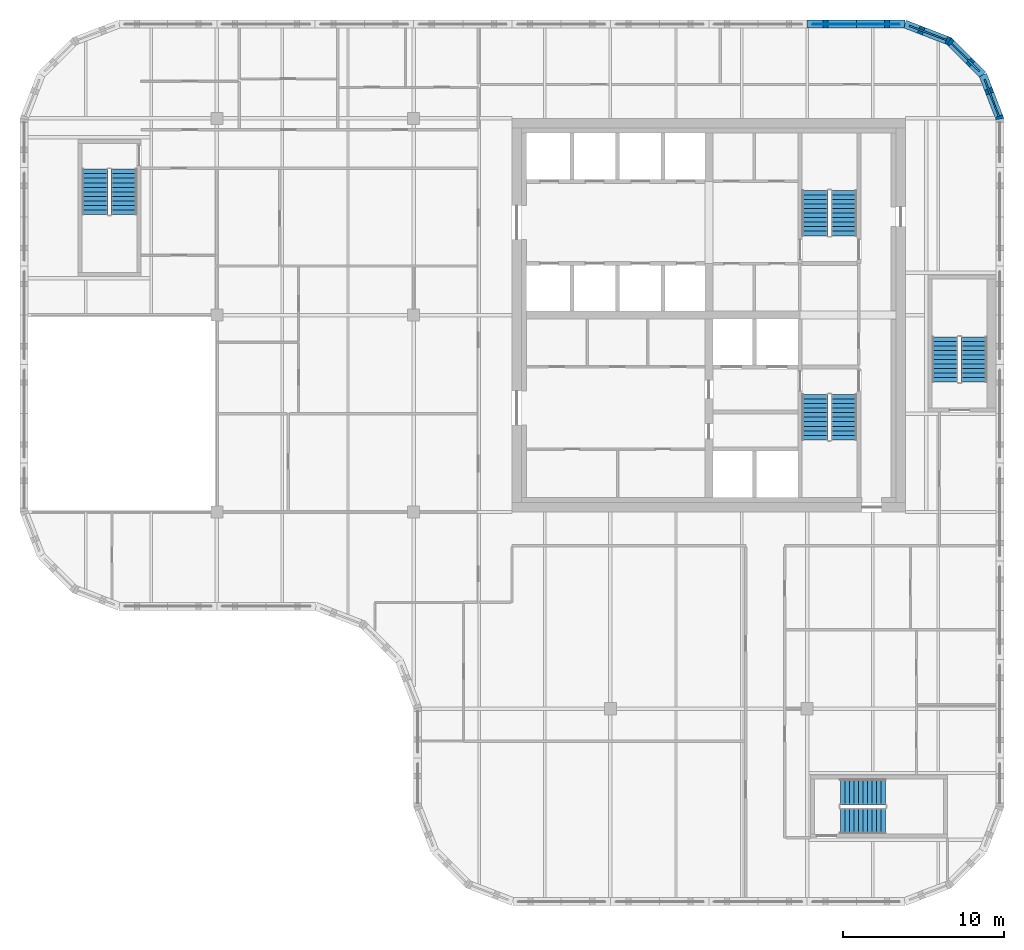
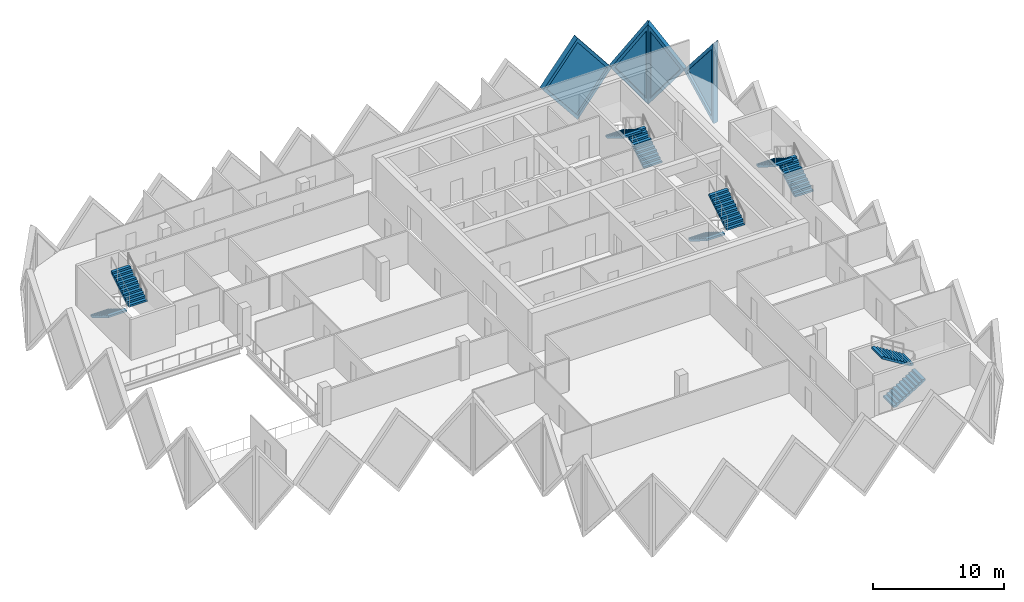
# One storey, part 10 of 11: 10 stair flights, 4 plates, 4 walls, 4 openings, 5 elements without a shape of their own.
"""IFC4 building model written with IfcOpenShell, lengths in metres."""

import ifcopenshell
import ifcopenshell.guid

model = None  # the IFC model being written
_history = None  # IfcOwnerHistory: only IFC2X3 demands one
_inside = {}  # id of a spatial element -> (the spatial element, [elements in it])
_under = {}  # id of a project, library or spatial element -> (it, [spatial elements below it])
_declared = {}  # id of a project -> (the project, [libraries it declares])
_typed = {}  # id of a type object -> (the type object, [elements of that type])
_made_of = {}  # id of a material, layer set ... -> (it, [elements and type objects made of it])


def new_model(schema):
    """Start an empty IFC model of exactly this schema.

    Asked for "IFC4X3", IfcOpenShell would pick the latest addendum, in which some entities
    have other attributes; the version numbers below select the first issue.
    IFC2X3 requires an IfcOwnerHistory on every rooted entity: one is made here for all.
    """
    global model, _history
    if schema == "IFC4X3":
        model = ifcopenshell.file(schema_version=(4, 3, 0, 0))
    else:
        model = ifcopenshell.file(schema=schema)
    _inside.clear()
    _under.clear()
    _declared.clear()
    _typed.clear()
    _made_of.clear()
    _history = None
    if model.schema == "IFC2X3":
        org = make("IfcOrganization", Name="unknown")
        user = make(
            "IfcPersonAndOrganization",
            ThePerson=make("IfcPerson", FamilyName="unknown"),
            TheOrganization=org,
        )
        app = make(
            "IfcApplication",
            ApplicationDeveloper=org,
            Version="unknown",
            ApplicationFullName="unknown",
            ApplicationIdentifier="unknown",
        )
        _history = make(
            "IfcOwnerHistory",
            OwningUser=user,
            OwningApplication=app,
            ChangeAction="ADDED",
            CreationDate=0,
        )
    return model


def make(cls, **values):
    """One entity of the class cls with the attributes given. An attribute that is None is left unset."""
    return model.create_entity(
        cls, **{name: value for name, value in values.items() if value is not None}
    )


def rooted(cls, **values):
    """An entity with a GlobalId (a new one), such as an element, a storey or a relation."""
    return make(cls, GlobalId=ifcopenshell.guid.new(), OwnerHistory=_history, **values)


def si_unit(unit_type, name, prefix=None):
    """IfcSIUnit, for example si_unit("LENGTHUNIT", "METRE", prefix="MILLI")."""
    return make("IfcSIUnit", UnitType=unit_type, Prefix=prefix, Name=name)


def assignment(units):
    """IfcUnitAssignment: the units of a project."""
    return None if units is None else make("IfcUnitAssignment", Units=units)


def point(xyz):
    """IfcCartesianPoint."""
    return None if xyz is None else make("IfcCartesianPoint", Coordinates=xyz)


def direction(xyz):
    """IfcDirection."""
    return None if xyz is None else make("IfcDirection", DirectionRatios=xyz)


def frame(location, z_axis=None, x_axis=None):
    """IfcAxis2Placement3D, a coordinate frame: its origin and axes. An axis left out is left unset."""
    return make(
        "IfcAxis2Placement3D",
        Location=point(location),
        Axis=direction(z_axis),
        RefDirection=direction(x_axis),
    )


def origin():
    """The frame at (0, 0, 0) with its axes left unset."""
    return frame((0.0, 0.0, 0.0))


def place(relative_to, where):
    """IfcLocalPlacement: puts the frame where relative to a parent placement (None: the world)."""
    return make(
        "IfcLocalPlacement", PlacementRelTo=relative_to, RelativePlacement=where
    )


def context(
    kind, dimensions, precision=None, world=None, true_north=None, identifier=None
):
    """IfcGeometricRepresentationContext, for example the 3D "Model" context."""
    return make(
        "IfcGeometricRepresentationContext",
        ContextIdentifier=identifier,
        ContextType=kind,
        CoordinateSpaceDimension=dimensions,
        Precision=precision,
        WorldCoordinateSystem=world,
        TrueNorth=true_north,
    )


def subcontext(parent, identifier, kind, view, scale=None):
    """IfcGeometricRepresentationSubContext, for example "Body" below "Model"."""
    return make(
        "IfcGeometricRepresentationSubContext",
        ContextIdentifier=identifier,
        ContextType=kind,
        ParentContext=parent,
        TargetScale=scale,
        TargetView=view,
    )


def project(units=None, contexts=None):
    """IfcProject with its units and contexts."""
    return rooted(
        "IfcProject",
        Name="project",
        RepresentationContexts=contexts,
        UnitsInContext=assignment(units),
    )


def spatial(cls, under=None, at=None, **own):
    """A site, building, storey or space (cls), placed at a placement, below another one or the project."""
    s = rooted(cls, ObjectPlacement=at, **own)
    if under is not None:
        _under.setdefault(under.id(), (under, []))[1].append(s)
    return s


def polyline(points):
    """IfcPolyline through the points."""
    return make("IfcPolyline", Points=[point(p) for p in points])


def outline(outer, holes=None, kind="AREA"):
    """IfcArbitraryClosedProfileDef: a profile drawn as a closed curve; with holes, ...WithVoids."""
    if holes is None:
        return make("IfcArbitraryClosedProfileDef", ProfileType=kind, OuterCurve=outer)
    return make(
        "IfcArbitraryProfileDefWithVoids",
        ProfileType=kind,
        OuterCurve=outer,
        InnerCurves=holes,
    )


def extrude(swept, where, along, depth):
    """IfcExtrudedAreaSolid: the profile swept, set in the frame where, extruded along a direction by depth."""
    return make(
        "IfcExtrudedAreaSolid",
        SweptArea=swept,
        Position=where,
        ExtrudedDirection=direction(along),
        Depth=depth,
    )


def faces_of(points, faces, orient=None, outer=None):
    """IfcFace entities. A face is a list of loops; a loop is a list of indices into points, from 0.

    orient and outer hold one flag for each loop. By default every Orientation is true, the
    first loop of a face is its IfcFaceOuterBound and the others are IfcFaceBound.
    """
    made = []
    for i, loops in enumerate(faces):
        bounds = []
        for j, loop in enumerate(loops):
            is_outer = j == 0 if outer is None else outer[i][j]
            bounds.append(
                make(
                    "IfcFaceOuterBound" if is_outer else "IfcFaceBound",
                    Bound=make("IfcPolyLoop", Polygon=[points[k] for k in loop]),
                    Orientation=True if orient is None else orient[i][j],
                )
            )
        made.append(make("IfcFace", Bounds=bounds))
    return made


def faceted_brep(points, faces, orient=None, outer=None, voids=None):
    """IfcFacetedBrep: a solid bounded by flat faces; with voids (closed shells), ...WithVoids."""
    shared = [point(p) for p in points]
    hull = make("IfcClosedShell", CfsFaces=faces_of(shared, faces, orient, outer))
    if voids is None:
        return make("IfcFacetedBrep", Outer=hull)
    return make(
        "IfcFacetedBrepWithVoids",
        Outer=hull,
        Voids=[
            make(cls, CfsFaces=faces_of(shared, fs, o, b)) for cls, fs, o, b in voids
        ],
    )


def shape(context_of_items, identifier, shape_type, items):
    """IfcShapeRepresentation: the items that make up one representation, for example the "Body"."""
    return make(
        "IfcShapeRepresentation",
        ContextOfItems=context_of_items,
        RepresentationIdentifier=identifier,
        RepresentationType=shape_type,
        Items=items,
    )


def source(mapping_origin, context_of_items, identifier, shape_type, items):
    """IfcRepresentationMap: a shape defined once, which mapped items show again and again."""
    return make(
        "IfcRepresentationMap",
        MappingOrigin=mapping_origin,
        MappedRepresentation=shape(context_of_items, identifier, shape_type, items),
    )


def transform(
    local_origin,
    x_axis=None,
    y_axis=None,
    z_axis=None,
    scale=None,
    scale2=None,
    scale3=None,
    uniform=True,
):
    """IfcCartesianTransformationOperator3D, or its non-uniform kind. x_axis, y_axis, z_axis: its Axis1, 2, 3."""
    if uniform:
        return make(
            "IfcCartesianTransformationOperator3D",
            Axis1=direction(x_axis),
            Axis2=direction(y_axis),
            LocalOrigin=point(local_origin),
            Scale=scale,
            Axis3=direction(z_axis),
        )
    return make(
        "IfcCartesianTransformationOperator3DnonUniform",
        Axis1=direction(x_axis),
        Axis2=direction(y_axis),
        LocalOrigin=point(local_origin),
        Scale=scale,
        Axis3=direction(z_axis),
        Scale2=scale2,
        Scale3=scale3,
    )


def mapped(mapping_source, mapping_target):
    """IfcMappedItem: shows the shape of a source again, moved by a transform."""
    return make(
        "IfcMappedItem", MappingSource=mapping_source, MappingTarget=mapping_target
    )


def material(Name=None, Category=None):
    """IfcMaterial."""
    return make("IfcMaterial", Name=Name, Category=Category)


def layer(
    of_material, thickness, ventilated=None, Name=None, Category=None, Priority=None
):
    """IfcMaterialLayer: one layer of a wall or slab, of a material (None: an air gap)."""
    return make(
        "IfcMaterialLayer",
        Material=of_material,
        LayerThickness=thickness,
        IsVentilated=ventilated,
        Name=Name,
        Category=Category,
        Priority=Priority,
    )


def layer_set(layers, Name=None):
    """IfcMaterialLayerSet."""
    return make("IfcMaterialLayerSet", MaterialLayers=layers, LayerSetName=Name)


def made_of(thing, what):
    """Note that an element or type object is made of a material, layer set ...; save() writes the relation."""
    if what is not None:
        _made_of.setdefault(what.id(), (what, []))[1].append(thing)
    return thing


def type_object(cls, material=None, **own):
    """A type object (cls), such as IfcWallType, which elements share."""
    return made_of(rooted(cls, **own), material)


def element(
    cls,
    number,
    at=None,
    inside=None,
    cuts=None,
    type_object=None,
    material=None,
    context=None,
    identifier="Body",
    shape_type=None,
    held_by="IfcProductDefinitionShape",
    body=None,
    shapes=None,
    **own,
):
    """One element of the class cls, such as IfcWall. Its Tag is "e" and its number.

    at: its placement. inside: the storey or other place that contains it. cuts: it is an
    opening in that element (IfcRelVoidsElement). A single representation is given by context,
    identifier, shape_type and body (its items); several are given by shapes. held_by: the class
    of the entity that holds the representations. save() writes the other relations.
    """
    e = rooted(cls, Tag="e%d" % number, ObjectPlacement=at, **own)
    if body is not None:
        shapes = [shape(context, identifier, shape_type, body)]
    if shapes is not None:
        e.Representation = make(held_by, Representations=shapes)
    if inside is not None:
        _inside.setdefault(inside.id(), (inside, []))[1].append(e)
    if cuts is not None:
        rooted(
            "IfcRelVoidsElement", RelatingBuildingElement=cuts, RelatedOpeningElement=e
        )
    if type_object is not None:
        _typed.setdefault(type_object.id(), (type_object, []))[1].append(e)
    return made_of(e, material)


def fill(opening, filler):
    """IfcRelFillsElement: the door or window that sits in an opening."""
    return rooted(
        "IfcRelFillsElement",
        RelatingOpeningElement=opening,
        RelatedBuildingElement=filler,
    )


def aggregate(whole, parts):
    """IfcRelAggregates: a whole, such as a stair, and the parts it consists of."""
    return rooted("IfcRelAggregates", RelatingObject=whole, RelatedObjects=parts)


def save(model, path):
    """Write the relations noted so far, then the file.

    IfcRelAggregates (storeys below a building ...), IfcRelContainedInSpatialStructure (elements
    in a storey), IfcRelDefinesByType, IfcRelAssociatesMaterial and IfcRelDeclares: one each for
    every whole, place, type object, material and project.
    """
    for whole, parts in _under.values():
        aggregate(whole, parts)
    for where, things in _inside.values():
        rooted(
            "IfcRelContainedInSpatialStructure",
            RelatedElements=things,
            RelatingStructure=where,
        )
    for kind, things in _typed.values():
        rooted("IfcRelDefinesByType", RelatedObjects=things, RelatingType=kind)
    for what, things in _made_of.values():
        rooted("IfcRelAssociatesMaterial", RelatedObjects=things, RelatingMaterial=what)
    for by, libraries in _declared.values():
        rooted("IfcRelDeclares", RelatingContext=by, RelatedDefinitions=libraries)
    model.write(path)


model = new_model("IFC4")

# Units and contexts
model_context = context("Model", 3, precision=1e-05, world=origin(), true_north=direction((0.0, 1.0)))
body_context = subcontext(model_context, "Body", "Model", "MODEL_VIEW")
ifc_project = project(units=[si_unit("LENGTHUNIT", "METRE"), si_unit("AREAUNIT", "SQUARE_METRE"), si_unit("VOLUMEUNIT", "CUBIC_METRE"), si_unit("PLANEANGLEUNIT", "RADIAN"), si_unit("MASSUNIT", "GRAM", prefix="KILO")], contexts=[model_context])

# Site, building, storey
site_placement = place(None, origin())
site = spatial("IfcSite", under=ifc_project, at=site_placement, CompositionType="ELEMENT")
building_placement = place(site_placement, origin())
building = spatial("IfcBuilding", under=site, at=building_placement, Name="Tessera Gate Towers", CompositionType="ELEMENT")
storey_placement = place(building_placement, frame((0.0, 0.0, 174.39990234375)))
storey = spatial("IfcBuildingStorey", under=building, at=storey_placement, Name="L43", CompositionType="ELEMENT", Elevation=174.39990234375)

# Wall, opening, plate
ifc_material_1 = material(Name="Precast concrete C60/75 white", Category="concrete")
ifc_layer_1 = layer(ifc_material_1, 0.5)
ifc_layer_set_1 = layer_set([ifc_layer_1], Name="TS3 corner tessera")
wall_type_1 = type_object("IfcWallType", Name="TS3 corner tessera", PredefinedType="SOLIDWALL", material=ifc_layer_set_1)
shared_shape_1 = source(origin(), body_context, "Body", "Brep", [
    faceted_brep([(0.046630859375, -0.25, 0.0), (2.9970703125, -0.25, 3.7998046875), (0.046630859375, -0.25, 7.599853515625), (0.0, -0.25, 7.541015625), (0.0, -0.25, 0.058837890625), (0.09326171875, 0.25, 7.539794921875), (2.9443359375, 0.25, 3.867919921875), (2.9443359375, 0.25, 3.731689453125), (0.09326171875, 0.25, 0.06005859375), (2.9970703125, 0.00048828125, 3.7998046875), (0.046630859375, 0.0, 0.0), (0.046630859375, 0.0, 7.599853515625)], [[[0, 1, 2, 3, 4]], [[5, 6, 7, 8]], [[8, 7, 9, 1, 0, 10]], [[6, 5, 11, 2, 1, 9]], [[3, 2, 11]], [[10, 0, 4]], [[8, 10, 4, 3, 11, 5]], [[9, 7, 6]]]),
])
wall_1_placement = place(storey_placement, frame((60.766845703125, 48.7099609375, -3.7998046875), z_axis=(0.0, 0.0, 1.0), x_axis=(-0.359901446078, 0.932990326376, 0.0)))
wall_1 = element("IfcWall", 1, at=wall_1_placement, inside=storey, type_object=wall_type_1, Name="Precast corner tessera T1 TS3-0990", PredefinedType="SOLIDWALL", context=body_context, shape_type="MappedRepresentation", body=[
    mapped(shared_shape_1, transform((0.0, 0.0, 0.0), scale=1.0)),
])
shared_shape_2 = source(origin(), body_context, "Body", "SweptSolid", [
    extrude(outline(polyline([(0.24658203125, 0.6650390625), (2.6806640625, 3.7998046875), (0.24658203125, 6.9345703125), (0.24658203125, 0.6650390625)])), frame((0.0, 0.260009765625, 0.0), z_axis=(0.0, -1.0, 0.0), x_axis=(1.0, 0.0, 0.0)), (0.0, 0.0, 1.0), 0.52001953125),
])
opening_1_placement = place(wall_1_placement, origin())
opening_1 = element("IfcOpeningElement", 2, at=opening_1_placement, cuts=wall_1, Name="Opening T1-PL2-1519", PredefinedType="OPENING", context=body_context, shape_type="MappedRepresentation", body=[
    mapped(shared_shape_2, transform((0.0, 0.0, 0.0), scale=1.0)),
])
ifc_material_2 = material(Name="Low-e laminated glass", Category="glass")
ifc_layer_2 = layer(ifc_material_2, 0.06005859375)
ifc_layer_set_2 = layer_set([ifc_layer_2], Name="PL2 rhombic pane")
plate_type = type_object("IfcPlateType", Name="PL2 rhombic pane", PredefinedType="SHEET", material=ifc_layer_set_2)
shared_shape_3 = source(origin(), body_context, "Body", "SweptSolid", [
    extrude(outline(polyline([(0.24658203125, 0.6650390625), (2.6806640625, 3.7998046875), (0.24658203125, 6.9345703125), (0.24658203125, 0.6650390625)])), frame((0.0, 0.030029296875, 0.0), z_axis=(0.0, -1.0, 0.0), x_axis=(1.0, 0.0, 0.0)), (0.0, 0.0, 1.0), 0.06005859375),
])
plate_1_placement = place(opening_1_placement, origin())
plate_1 = element("IfcPlate", 3, at=plate_1_placement, inside=storey, type_object=plate_type, Name="Glass pane T1 PL2-1519", PredefinedType="SHEET", context=body_context, shape_type="MappedRepresentation", body=[
    mapped(shared_shape_3, transform((0.0, 0.0, 0.0), scale=1.0)),
])
fill(opening_1, plate_1)

ifc_material_3 = material(Name="Precast concrete C60/75 white", Category="concrete")
ifc_layer_3 = layer(ifc_material_3, 0.5)
ifc_layer_set_3 = layer_set([ifc_layer_3], Name="TS1 tessera")
wall_type_2 = type_object("IfcWallType", Name="TS1 tessera", PredefinedType="SOLIDWALL", material=ifc_layer_set_3)
shared_shape_4 = source(origin(), body_context, "Body", "Brep", [
    faceted_brep([(3.00341796875, -0.25, 0.0), (6.053466796875, -0.25, 3.7998046875), (3.00341796875, -0.25, 7.599853515625), (0.0, -0.25, 3.7998046875), (0.046630859375, 0.25, 3.858642578125), (3.00341796875, 0.25, 7.599853515625), (6.053466796875, 0.25, 3.7998046875), (3.00341796875, 0.25, 0.0), (0.046630859375, 0.25, 3.740966796875), (0.0, 0.0, 3.7998046875)], [[[0, 1, 2, 3]], [[4, 5, 6, 7, 8]], [[7, 6, 1, 0]], [[6, 5, 2, 1]], [[5, 4, 9, 3, 2]], [[8, 7, 0, 3, 9]], [[8, 9, 4]]]),
])
wall_2_placement = place(storey_placement, frame((54.853515625, 54.64990234375, -3.7998046875), z_axis=(0.0, 0.0, 1.0), x_axis=(-1.0, 0.0, 0.0)))
wall_2 = element("IfcWall", 4, at=wall_2_placement, inside=storey, type_object=wall_type_2, Name="Precast tessera T1 TS1-0746", PredefinedType="SOLIDWALL", context=body_context, shape_type="MappedRepresentation", body=[
    mapped(shared_shape_4, transform((0.0, 0.0, 0.0), scale=1.0)),
])
shared_shape_5 = source(origin(), body_context, "Body", "SweptSolid", [
    extrude(outline(polyline([(3.0048828125, 0.401123046875), (5.73291015625, 3.7998046875), (3.0048828125, 7.19873046875), (0.318603515625, 3.7998046875), (3.0048828125, 0.401123046875)])), frame((0.0, 0.260009765625, 0.0), z_axis=(0.0, -1.0, 0.0), x_axis=(1.0, 0.0, 0.0)), (0.0, 0.0, 1.0), 0.52001953125),
])
opening_2_placement = place(wall_2_placement, origin())
opening_2 = element("IfcOpeningElement", 5, at=opening_2_placement, cuts=wall_2, Name="Opening T1-PL2-1522", PredefinedType="OPENING", context=body_context, shape_type="MappedRepresentation", body=[
    mapped(shared_shape_5, transform((0.0, 0.0, 0.0), scale=1.0)),
])
shared_shape_6 = source(origin(), body_context, "Body", "SweptSolid", [
    extrude(outline(polyline([(3.0048828125, 0.401123046875), (5.73291015625, 3.7998046875), (3.0048828125, 7.19873046875), (0.318603515625, 3.7998046875), (3.0048828125, 0.401123046875)])), frame((0.0, 0.030029296875, 0.0), z_axis=(0.0, -1.0, 0.0), x_axis=(1.0, 0.0, 0.0)), (0.0, 0.0, 1.0), 0.06005859375),
])
plate_2_placement = place(opening_2_placement, origin())
plate_2 = element("IfcPlate", 6, at=plate_2_placement, inside=storey, type_object=plate_type, Name="Glass pane T1 PL2-1522", PredefinedType="SHEET", context=body_context, shape_type="MappedRepresentation", body=[
    mapped(shared_shape_6, transform((0.0, 0.0, 0.0), scale=1.0)),
])
fill(opening_2, plate_2)

shared_shape_7 = source(origin(), body_context, "Body", "Brep", [
    faceted_brep([(2.944091796875, -0.25, 0.0), (2.9970703125, -0.25, 0.068115234375), (2.9970703125, -0.25, 7.53173828125), (2.944091796875, -0.25, 7.599853515625), (0.0, -0.25, 3.7998046875), (0.052978515625, 0.25, 3.8681640625), (2.89111328125, 0.25, 7.53173828125), (2.89111328125, 0.25, 0.068115234375), (0.052978515625, 0.25, 3.7314453125), (2.944091796875, 0.000244140625, 0.0), (2.944091796875, 0.000244140625, 7.599853515625), (0.0, 0.0, 3.7998046875)], [[[0, 1, 2, 3, 4]], [[5, 6, 7, 8]], [[1, 0, 9]], [[10, 3, 2]], [[6, 5, 11, 4, 3, 10]], [[8, 7, 9, 0, 4, 11]], [[8, 11, 5]], [[1, 9, 7, 6, 10, 2]]]),
])
wall_3_placement = place(storey_placement, frame((59.68798828125, 51.50634765625, -3.7998046875), z_axis=(0.0, 0.0, 1.0), x_axis=(-0.707106781187, 0.707106781187, 0.0)))
wall_3 = element("IfcWall", 7, at=wall_3_placement, inside=storey, type_object=wall_type_1, Name="Precast corner tessera T1 TS3-0991", PredefinedType="SOLIDWALL", context=body_context, shape_type="MappedRepresentation", body=[
    mapped(shared_shape_7, transform((0.0, 0.0, 0.0), scale=1.0)),
])
shared_shape_8 = source(origin(), body_context, "Body", "SweptSolid", [
    extrude(outline(polyline([(2.744140625, 6.93359375), (0.316162109375, 3.7998046875), (2.744140625, 0.666259765625), (2.744140625, 6.93359375)])), frame((0.0, 0.260009765625, 0.0), z_axis=(0.0, -1.0, 0.0), x_axis=(1.0, 0.0, 0.0)), (0.0, 0.0, 1.0), 0.52001953125),
])
opening_3_placement = place(wall_3_placement, origin())
opening_3 = element("IfcOpeningElement", 8, at=opening_3_placement, cuts=wall_3, Name="Opening T1-PL2-1520", PredefinedType="OPENING", context=body_context, shape_type="MappedRepresentation", body=[
    mapped(shared_shape_8, transform((0.0, 0.0, 0.0), scale=1.0)),
])
shared_shape_9 = source(origin(), body_context, "Body", "SweptSolid", [
    extrude(outline(polyline([(2.744140625, 6.93359375), (0.316162109375, 3.7998046875), (2.744140625, 0.666259765625), (2.744140625, 6.93359375)])), frame((0.0, 0.030029296875, 0.0), z_axis=(0.0, -1.0, 0.0), x_axis=(1.0, 0.0, 0.0)), (0.0, 0.0, 1.0), 0.06005859375),
])
plate_3_placement = place(opening_3_placement, origin())
plate_3 = element("IfcPlate", 9, at=plate_3_placement, inside=storey, type_object=plate_type, Name="Glass pane T1 PL2-1520", PredefinedType="SHEET", context=body_context, shape_type="MappedRepresentation", body=[
    mapped(shared_shape_9, transform((0.0, 0.0, 0.0), scale=1.0)),
])
fill(opening_3, plate_3)

shared_shape_10 = source(origin(), body_context, "Body", "Brep", [
    faceted_brep([(0.052978515625, -0.25, 0.0), (3.00341796875, -0.25, 3.7998046875), (0.052978515625, -0.25, 7.599853515625), (0.0, -0.25, 7.531494140625), (0.0, -0.25, 0.068359375), (0.10595703125, 0.25, 7.53173828125), (2.95703125, 0.25, 3.859619140625), (2.95703125, 0.25, 3.739990234375), (0.10595703125, 0.25, 0.068115234375), (3.00341796875, 0.00048828125, 3.7998046875), (0.052978515625, 0.0, 0.0), (0.052978515625, 0.0, 7.599853515625)], [[[0, 1, 2, 3, 4]], [[5, 6, 7, 8]], [[8, 7, 9, 1, 0, 10]], [[6, 5, 11, 2, 1, 9]], [[3, 2, 11]], [[10, 0, 4]], [[8, 10, 4, 3, 11, 5]], [[9, 7, 6]]]),
])
wall_4_placement = place(storey_placement, frame((57.65576171875, 53.569091796875, -3.7998046875), z_axis=(0.0, 0.0, 1.0), x_axis=(-0.933007896601, 0.359855894603, 0.0)))
wall_4 = element("IfcWall", 10, at=wall_4_placement, inside=storey, type_object=wall_type_1, Name="Precast corner tessera T1 TS3-0992", PredefinedType="SOLIDWALL", context=body_context, shape_type="MappedRepresentation", body=[
    mapped(shared_shape_10, transform((0.0, 0.0, 0.0), scale=1.0)),
])
shared_shape_11 = source(origin(), body_context, "Body", "SweptSolid", [
    extrude(outline(polyline([(0.2529296875, 0.6650390625), (2.68701171875, 3.7998046875), (0.2529296875, 6.9345703125), (0.2529296875, 0.6650390625)])), frame((0.0, 0.260009765625, 0.0), z_axis=(0.0, -1.0, 0.0), x_axis=(1.0, 0.0, 0.0)), (0.0, 0.0, 1.0), 0.52001953125),
])
opening_4_placement = place(wall_4_placement, origin())
opening_4 = element("IfcOpeningElement", 11, at=opening_4_placement, cuts=wall_4, Name="Opening T1-PL2-1521", PredefinedType="OPENING", context=body_context, shape_type="MappedRepresentation", body=[
    mapped(shared_shape_11, transform((0.0, 0.0, 0.0), scale=1.0)),
])
shared_shape_12 = source(origin(), body_context, "Body", "SweptSolid", [
    extrude(outline(polyline([(0.2529296875, 0.6650390625), (2.68701171875, 3.7998046875), (0.2529296875, 6.9345703125), (0.2529296875, 0.6650390625)])), frame((0.0, 0.030029296875, 0.0), z_axis=(0.0, -1.0, 0.0), x_axis=(1.0, 0.0, 0.0)), (0.0, 0.0, 1.0), 0.06005859375),
])
plate_4_placement = place(opening_4_placement, origin())
plate_4 = element("IfcPlate", 12, at=plate_4_placement, inside=storey, type_object=plate_type, Name="Glass pane T1 PL2-1521", PredefinedType="SHEET", context=body_context, shape_type="MappedRepresentation", body=[
    mapped(shared_shape_12, transform((0.0, 0.0, 0.0), scale=1.0)),
])
fill(opening_4, plate_4)

# Stair, stair flights
ifc_material_4 = material(Name="Concrete C40/50", Category="concrete")
stair_type_1 = type_object("IfcStairType", Name="EXIT STAIR ST1 1600", PredefinedType="HALF_TURN_STAIR", material=ifc_material_4)
stair_1_placement = place(storey_placement, origin())
stair_1 = element("IfcStair", 13, at=stair_1_placement, inside=storey, type_object=stair_type_1, Name="L43 Protected Exit Stair ST1", PredefinedType="HALF_TURN_STAIR")
ifc_material_5 = material(Name="Concrete C40/50", Category="concrete")
stair_flight_type_1 = type_object("IfcStairFlightType", Name="EXIT STAIR FLIGHT ST1 1600", PredefinedType="STRAIGHT", material=ifc_material_5)
stair_flight_1_placement = place(storey_placement, frame((49.27490234375, 31.675048828125, 0.0), z_axis=(0.0, 0.0, 1.0), x_axis=(0.0, -1.0, 0.0)))
stair_flight_1 = element("IfcStairFlight", 14, at=stair_flight_1_placement, type_object=stair_flight_type_1, Name="ST1 flight 1", NumberOfRisers=11, NumberOfTreads=10, PredefinedType="STRAIGHT", RiserHeight=0.172727273, TreadLength=0.28, context=body_context, shape_type="SweptSolid", body=[
    extrude(outline(polyline([(0.0, 0.0), (0.0, 0.172607421875), (0.280029296875, 0.172607421875), (0.280029296875, 0.345458984375), (0.56005859375, 0.345458984375), (0.56005859375, 0.51806640625), (0.840087890625, 0.51806640625), (0.840087890625, 0.69091796875), (1.1201171875, 0.69091796875), (1.1201171875, 0.863525390625), (1.39990234375, 0.863525390625), (1.39990234375, 1.036376953125), (1.679931640625, 1.036376953125), (1.679931640625, 1.208984375), (1.9599609375, 1.208984375), (1.9599609375, 1.3818359375), (2.239990234375, 1.3818359375), (2.239990234375, 1.554443359375), (2.52001953125, 1.554443359375), (2.52001953125, 1.727294921875), (2.800048828125, 1.727294921875), (2.800048828125, 1.89990234375), (2.800048828125, 1.551025390625), (0.285400390625, 0.0), (0.0, 0.0)])), frame((0.0, 0.800048828125, 0.0), z_axis=(0.0, -1.0, 0.0), x_axis=(1.0, 0.0, 0.0)), (0.0, 0.0, 1.0), 1.60009765625),
])
stair_flight_2_placement = place(storey_placement, frame((51.074951171875, 28.875, 1.900146484375), z_axis=(0.0, 0.0, 1.0), x_axis=(0.0, 1.0, 0.0)))
stair_flight_2 = element("IfcStairFlight", 15, at=stair_flight_2_placement, type_object=stair_flight_type_1, Name="ST1 flight 2", NumberOfRisers=11, NumberOfTreads=10, PredefinedType="STRAIGHT", RiserHeight=0.172727273, TreadLength=0.28, context=body_context, shape_type="SweptSolid", body=[
    extrude(outline(polyline([(0.0, 0.0), (0.0, 0.172607421875), (0.280029296875, 0.172607421875), (0.280029296875, 0.345458984375), (0.56005859375, 0.345458984375), (0.56005859375, 0.51806640625), (0.840087890625, 0.51806640625), (0.840087890625, 0.69091796875), (1.1201171875, 0.69091796875), (1.1201171875, 0.863525390625), (1.39990234375, 0.863525390625), (1.39990234375, 1.036376953125), (1.679931640625, 1.036376953125), (1.679931640625, 1.208984375), (1.9599609375, 1.208984375), (1.9599609375, 1.3818359375), (2.239990234375, 1.3818359375), (2.239990234375, 1.554443359375), (2.52001953125, 1.554443359375), (2.52001953125, 1.727294921875), (2.800048828125, 1.727294921875), (2.800048828125, 1.89990234375), (2.800048828125, 1.551025390625), (0.285400390625, 0.0), (0.0, 0.0)])), frame((0.0, 0.800048828125, 0.0), z_axis=(0.0, -1.0, 0.0), x_axis=(1.0, 0.0, 0.0)), (0.0, 0.0, 1.0), 1.60009765625),
])
aggregate(stair_1, [stair_flight_1, stair_flight_2])

ifc_material_6 = material(Name="Concrete C40/50", Category="concrete")
stair_type_2 = type_object("IfcStairType", Name="EXIT STAIR ST2 1600", PredefinedType="HALF_TURN_STAIR", material=ifc_material_6)
stair_2_placement = place(storey_placement, origin())
stair_2 = element("IfcStair", 16, at=stair_2_placement, inside=storey, type_object=stair_type_2, Name="L43 Protected Exit Stair ST2", PredefinedType="HALF_TURN_STAIR")
ifc_material_7 = material(Name="Concrete C40/50", Category="concrete")
stair_flight_type_2 = type_object("IfcStairFlightType", Name="EXIT STAIR FLIGHT ST2 1600", PredefinedType="STRAIGHT", material=ifc_material_7)
stair_flight_3_placement = place(storey_placement, frame((51.074951171875, 41.52490234375, 0.0), z_axis=(0.0, 0.0, 1.0), x_axis=(0.0, 1.0, 0.0)))
stair_flight_3 = element("IfcStairFlight", 17, at=stair_flight_3_placement, type_object=stair_flight_type_2, Name="ST2 flight 1", NumberOfRisers=11, NumberOfTreads=10, PredefinedType="STRAIGHT", RiserHeight=0.172727273, TreadLength=0.28, context=body_context, shape_type="SweptSolid", body=[
    extrude(outline(polyline([(0.0, 0.0), (0.0, 0.172607421875), (0.280029296875, 0.172607421875), (0.280029296875, 0.345458984375), (0.56005859375, 0.345458984375), (0.56005859375, 0.51806640625), (0.840087890625, 0.51806640625), (0.840087890625, 0.69091796875), (1.1201171875, 0.69091796875), (1.1201171875, 0.863525390625), (1.39990234375, 0.863525390625), (1.39990234375, 1.036376953125), (1.679931640625, 1.036376953125), (1.679931640625, 1.208984375), (1.9599609375, 1.208984375), (1.9599609375, 1.3818359375), (2.239990234375, 1.3818359375), (2.239990234375, 1.554443359375), (2.52001953125, 1.554443359375), (2.52001953125, 1.727294921875), (2.800048828125, 1.727294921875), (2.800048828125, 1.89990234375), (2.800048828125, 1.551025390625), (0.285400390625, 0.0), (0.0, 0.0)])), frame((0.0, 0.800048828125, 0.0), z_axis=(0.0, -1.0, 0.0), x_axis=(1.0, 0.0, 0.0)), (0.0, 0.0, 1.0), 1.60009765625),
])
stair_flight_4_placement = place(storey_placement, frame((49.27490234375, 44.324951171875, 1.900146484375), z_axis=(0.0, 0.0, 1.0), x_axis=(0.0, -1.0, 0.0)))
stair_flight_4 = element("IfcStairFlight", 18, at=stair_flight_4_placement, type_object=stair_flight_type_2, Name="ST2 flight 2", NumberOfRisers=11, NumberOfTreads=10, PredefinedType="STRAIGHT", RiserHeight=0.172727273, TreadLength=0.28, context=body_context, shape_type="SweptSolid", body=[
    extrude(outline(polyline([(0.0, 0.0), (0.0, 0.172607421875), (0.280029296875, 0.172607421875), (0.280029296875, 0.345458984375), (0.56005859375, 0.345458984375), (0.56005859375, 0.51806640625), (0.840087890625, 0.51806640625), (0.840087890625, 0.69091796875), (1.1201171875, 0.69091796875), (1.1201171875, 0.863525390625), (1.39990234375, 0.863525390625), (1.39990234375, 1.036376953125), (1.679931640625, 1.036376953125), (1.679931640625, 1.208984375), (1.9599609375, 1.208984375), (1.9599609375, 1.3818359375), (2.239990234375, 1.3818359375), (2.239990234375, 1.554443359375), (2.52001953125, 1.554443359375), (2.52001953125, 1.727294921875), (2.800048828125, 1.727294921875), (2.800048828125, 1.89990234375), (2.800048828125, 1.551025390625), (0.285400390625, 0.0), (0.0, 0.0)])), frame((0.0, 0.800048828125, 0.0), z_axis=(0.0, -1.0, 0.0), x_axis=(1.0, 0.0, 0.0)), (0.0, 0.0, 1.0), 1.60009765625),
])
aggregate(stair_2, [stair_flight_3, stair_flight_4])

ifc_material_8 = material(Name="Concrete C40/50", Category="concrete")
stair_type_3 = type_object("IfcStairType", Name="EXIT STAIR ST3 1600", PredefinedType="HALF_TURN_STAIR", material=ifc_material_8)
stair_3_placement = place(storey_placement, origin())
stair_3 = element("IfcStair", 19, at=stair_3_placement, inside=storey, type_object=stair_type_3, Name="L43 West Exit Stair ST3", PredefinedType="HALF_TURN_STAIR")
ifc_material_9 = material(Name="Concrete C40/50", Category="concrete")
stair_flight_type_3 = type_object("IfcStairFlightType", Name="EXIT STAIR FLIGHT ST3 1600", PredefinedType="STRAIGHT", material=ifc_material_9)
stair_flight_5_placement = place(storey_placement, frame((4.64990234375, 45.64990234375, 0.0), z_axis=(0.0, 0.0, 1.0), x_axis=(0.0, -1.0, 0.0)))
stair_flight_5 = element("IfcStairFlight", 20, at=stair_flight_5_placement, type_object=stair_flight_type_3, Name="ST3 flight 1", NumberOfRisers=11, NumberOfTreads=10, PredefinedType="STRAIGHT", RiserHeight=0.172727273, TreadLength=0.28, context=body_context, shape_type="SweptSolid", body=[
    extrude(outline(polyline([(0.0, 0.0), (0.0, 0.172607421875), (0.280029296875, 0.172607421875), (0.280029296875, 0.345458984375), (0.56005859375, 0.345458984375), (0.56005859375, 0.51806640625), (0.840087890625, 0.51806640625), (0.840087890625, 0.69091796875), (1.1201171875, 0.69091796875), (1.1201171875, 0.863525390625), (1.39990234375, 0.863525390625), (1.39990234375, 1.036376953125), (1.679931640625, 1.036376953125), (1.679931640625, 1.208984375), (1.9599609375, 1.208984375), (1.9599609375, 1.3818359375), (2.239990234375, 1.3818359375), (2.239990234375, 1.554443359375), (2.52001953125, 1.554443359375), (2.52001953125, 1.727294921875), (2.800048828125, 1.727294921875), (2.800048828125, 1.89990234375), (2.800048828125, 1.551025390625), (0.285400390625, 0.0), (0.0, 0.0)])), frame((0.0, 0.800048828125, 0.0), z_axis=(0.0, -1.0, 0.0), x_axis=(1.0, 0.0, 0.0)), (0.0, 0.0, 1.0), 1.60009765625),
])
stair_flight_6_placement = place(storey_placement, frame((6.449951171875, 42.85009765625, 1.900146484375), z_axis=(0.0, 0.0, 1.0), x_axis=(0.0, 1.0, 0.0)))
stair_flight_6 = element("IfcStairFlight", 21, at=stair_flight_6_placement, type_object=stair_flight_type_3, Name="ST3 flight 2", NumberOfRisers=11, NumberOfTreads=10, PredefinedType="STRAIGHT", RiserHeight=0.172727273, TreadLength=0.28, context=body_context, shape_type="SweptSolid", body=[
    extrude(outline(polyline([(0.0, 0.0), (0.0, 0.172607421875), (0.280029296875, 0.172607421875), (0.280029296875, 0.345458984375), (0.56005859375, 0.345458984375), (0.56005859375, 0.51806640625), (0.840087890625, 0.51806640625), (0.840087890625, 0.69091796875), (1.1201171875, 0.69091796875), (1.1201171875, 0.863525390625), (1.39990234375, 0.863525390625), (1.39990234375, 1.036376953125), (1.679931640625, 1.036376953125), (1.679931640625, 1.208984375), (1.9599609375, 1.208984375), (1.9599609375, 1.3818359375), (2.239990234375, 1.3818359375), (2.239990234375, 1.554443359375), (2.52001953125, 1.554443359375), (2.52001953125, 1.727294921875), (2.800048828125, 1.727294921875), (2.800048828125, 1.89990234375), (2.800048828125, 1.551025390625), (0.285400390625, 0.0), (0.0, 0.0)])), frame((0.0, 0.800048828125, 0.0), z_axis=(0.0, -1.0, 0.0), x_axis=(1.0, 0.0, 0.0)), (0.0, 0.0, 1.0), 1.60009765625),
])
aggregate(stair_3, [stair_flight_5, stair_flight_6])

ifc_material_10 = material(Name="Concrete C40/50", Category="concrete")
stair_type_4 = type_object("IfcStairType", Name="EXIT STAIR ST4 1600", PredefinedType="HALF_TURN_STAIR", material=ifc_material_10)
stair_4_placement = place(storey_placement, origin())
stair_4 = element("IfcStair", 22, at=stair_4_placement, inside=storey, type_object=stair_type_4, Name="L43 South Exit Stair ST4", PredefinedType="HALF_TURN_STAIR")
ifc_material_11 = material(Name="Concrete C40/50", Category="concrete")
stair_flight_type_4 = type_object("IfcStairFlightType", Name="EXIT STAIR FLIGHT ST4 1600", PredefinedType="STRAIGHT", material=ifc_material_11)
stair_flight_7_placement = place(storey_placement, frame((50.85009765625, 5.25, 0.0), z_axis=(0.0, 0.0, 1.0), x_axis=(1.0, 0.0, 0.0)))
stair_flight_7 = element("IfcStairFlight", 23, at=stair_flight_7_placement, type_object=stair_flight_type_4, Name="ST4 flight 1", NumberOfRisers=11, NumberOfTreads=10, PredefinedType="STRAIGHT", RiserHeight=0.172727273, TreadLength=0.28, context=body_context, shape_type="SweptSolid", body=[
    extrude(outline(polyline([(0.0, 0.0), (0.0, 0.172607421875), (0.280029296875, 0.172607421875), (0.280029296875, 0.345458984375), (0.56005859375, 0.345458984375), (0.56005859375, 0.51806640625), (0.840087890625, 0.51806640625), (0.840087890625, 0.69091796875), (1.1201171875, 0.69091796875), (1.1201171875, 0.863525390625), (1.39990234375, 0.863525390625), (1.39990234375, 1.036376953125), (1.679931640625, 1.036376953125), (1.679931640625, 1.208984375), (1.9599609375, 1.208984375), (1.9599609375, 1.3818359375), (2.239990234375, 1.3818359375), (2.239990234375, 1.554443359375), (2.52001953125, 1.554443359375), (2.52001953125, 1.727294921875), (2.800048828125, 1.727294921875), (2.800048828125, 1.89990234375), (2.800048828125, 1.551025390625), (0.285400390625, 0.0), (0.0, 0.0)])), frame((0.0, 0.800048828125, 0.0), z_axis=(0.0, -1.0, 0.0), x_axis=(1.0, 0.0, 0.0)), (0.0, 0.0, 1.0), 1.60009765625),
])
stair_flight_8_placement = place(storey_placement, frame((53.64990234375, 7.050048828125, 1.900146484375), z_axis=(0.0, 0.0, 1.0), x_axis=(-1.0, 0.0, 0.0)))
stair_flight_8 = element("IfcStairFlight", 24, at=stair_flight_8_placement, type_object=stair_flight_type_4, Name="ST4 flight 2", NumberOfRisers=11, NumberOfTreads=10, PredefinedType="STRAIGHT", RiserHeight=0.172727273, TreadLength=0.28, context=body_context, shape_type="SweptSolid", body=[
    extrude(outline(polyline([(0.0, 0.0), (0.0, 0.172607421875), (0.280029296875, 0.172607421875), (0.280029296875, 0.345458984375), (0.56005859375, 0.345458984375), (0.56005859375, 0.51806640625), (0.840087890625, 0.51806640625), (0.840087890625, 0.69091796875), (1.1201171875, 0.69091796875), (1.1201171875, 0.863525390625), (1.39990234375, 0.863525390625), (1.39990234375, 1.036376953125), (1.679931640625, 1.036376953125), (1.679931640625, 1.208984375), (1.9599609375, 1.208984375), (1.9599609375, 1.3818359375), (2.239990234375, 1.3818359375), (2.239990234375, 1.554443359375), (2.52001953125, 1.554443359375), (2.52001953125, 1.727294921875), (2.800048828125, 1.727294921875), (2.800048828125, 1.89990234375), (2.800048828125, 1.551025390625), (0.285400390625, 0.0), (0.0, 0.0)])), frame((0.0, 0.800048828125, 0.0), z_axis=(0.0, -1.0, 0.0), x_axis=(1.0, 0.0, 0.0)), (0.0, 0.0, 1.0), 1.60009765625),
])
aggregate(stair_4, [stair_flight_7, stair_flight_8])

ifc_material_12 = material(Name="Concrete C40/50", Category="concrete")
stair_type_5 = type_object("IfcStairType", Name="EXIT STAIR ST5 1600", PredefinedType="HALF_TURN_STAIR", material=ifc_material_12)
stair_5_placement = place(storey_placement, origin())
stair_5 = element("IfcStair", 25, at=stair_5_placement, inside=storey, type_object=stair_type_5, Name="L43 East Exit Stair ST5", PredefinedType="HALF_TURN_STAIR")
ifc_material_13 = material(Name="Concrete C40/50", Category="concrete")
stair_flight_type_5 = type_object("IfcStairFlightType", Name="EXIT STAIR FLIGHT ST5 1600", PredefinedType="STRAIGHT", material=ifc_material_13)
stair_flight_9_placement = place(storey_placement, frame((59.14990234375, 32.449951171875, 0.0), z_axis=(0.0, 0.0, 1.0), x_axis=(0.0, 1.0, 0.0)))
stair_flight_9 = element("IfcStairFlight", 26, at=stair_flight_9_placement, type_object=stair_flight_type_5, Name="ST5 flight 1", NumberOfRisers=11, NumberOfTreads=10, PredefinedType="STRAIGHT", RiserHeight=0.172727273, TreadLength=0.28, context=body_context, shape_type="SweptSolid", body=[
    extrude(outline(polyline([(0.0, 0.0), (0.0, 0.172607421875), (0.280029296875, 0.172607421875), (0.280029296875, 0.345458984375), (0.56005859375, 0.345458984375), (0.56005859375, 0.51806640625), (0.840087890625, 0.51806640625), (0.840087890625, 0.69091796875), (1.1201171875, 0.69091796875), (1.1201171875, 0.863525390625), (1.39990234375, 0.863525390625), (1.39990234375, 1.036376953125), (1.679931640625, 1.036376953125), (1.679931640625, 1.208984375), (1.9599609375, 1.208984375), (1.9599609375, 1.3818359375), (2.239990234375, 1.3818359375), (2.239990234375, 1.554443359375), (2.52001953125, 1.554443359375), (2.52001953125, 1.727294921875), (2.800048828125, 1.727294921875), (2.800048828125, 1.89990234375), (2.800048828125, 1.551025390625), (0.285400390625, 0.0), (0.0, 0.0)])), frame((0.0, 0.800048828125, 0.0), z_axis=(0.0, -1.0, 0.0), x_axis=(1.0, 0.0, 0.0)), (0.0, 0.0, 1.0), 1.60009765625),
])
stair_flight_10_placement = place(storey_placement, frame((57.35009765625, 35.25, 1.900146484375), z_axis=(0.0, 0.0, 1.0), x_axis=(0.0, -1.0, 0.0)))
stair_flight_10 = element("IfcStairFlight", 27, at=stair_flight_10_placement, type_object=stair_flight_type_5, Name="ST5 flight 2", NumberOfRisers=11, NumberOfTreads=10, PredefinedType="STRAIGHT", RiserHeight=0.172727273, TreadLength=0.28, context=body_context, shape_type="SweptSolid", body=[
    extrude(outline(polyline([(0.0, 0.0), (0.0, 0.172607421875), (0.280029296875, 0.172607421875), (0.280029296875, 0.345458984375), (0.56005859375, 0.345458984375), (0.56005859375, 0.51806640625), (0.840087890625, 0.51806640625), (0.840087890625, 0.69091796875), (1.1201171875, 0.69091796875), (1.1201171875, 0.863525390625), (1.39990234375, 0.863525390625), (1.39990234375, 1.036376953125), (1.679931640625, 1.036376953125), (1.679931640625, 1.208984375), (1.9599609375, 1.208984375), (1.9599609375, 1.3818359375), (2.239990234375, 1.3818359375), (2.239990234375, 1.554443359375), (2.52001953125, 1.554443359375), (2.52001953125, 1.727294921875), (2.800048828125, 1.727294921875), (2.800048828125, 1.89990234375), (2.800048828125, 1.551025390625), (0.285400390625, 0.0), (0.0, 0.0)])), frame((0.0, 0.800048828125, 0.0), z_axis=(0.0, -1.0, 0.0), x_axis=(1.0, 0.0, 0.0)), (0.0, 0.0, 1.0), 1.60009765625),
])
aggregate(stair_5, [stair_flight_9, stair_flight_10])

save(model, "model.ifc")
